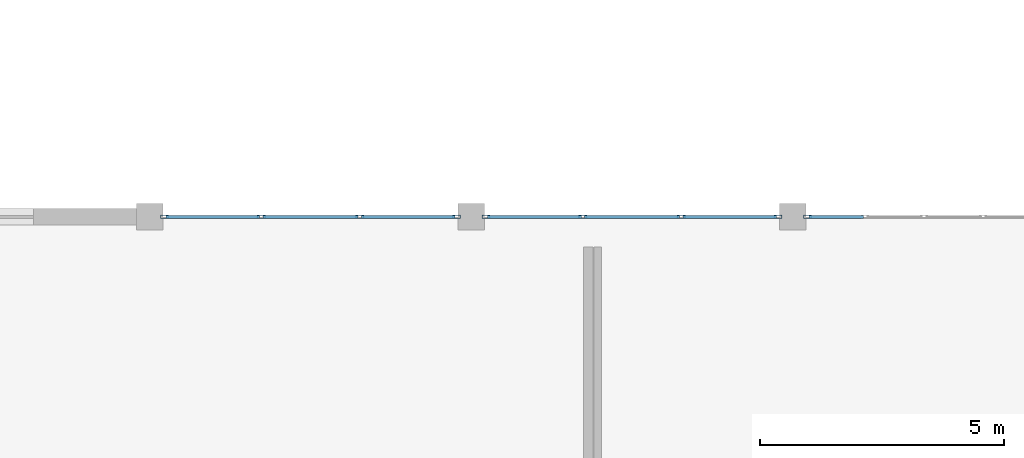
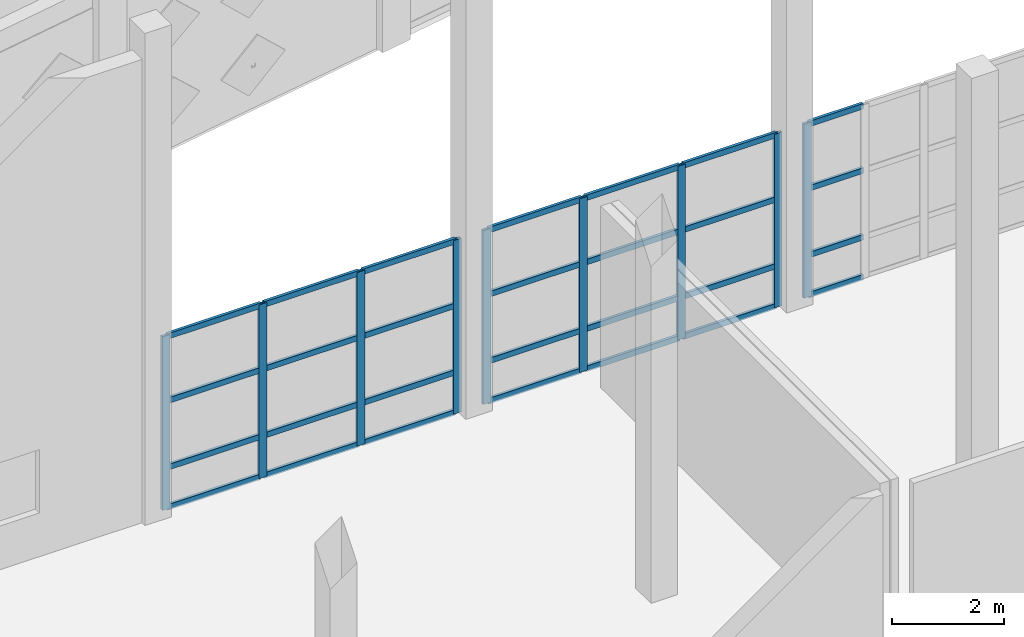
# One storey, part 2 of 39: 37 members, 3 elements without a shape of their own.
"""IFC4 building model written with IfcOpenShell, lengths in metres."""

from ifc_helpers import new_model, si_unit, direction, frame, origin, origin_2d, place, context, subcontext, project, spatial, hollow_rectangle, extrude, material, layer, layer_set, material_profile, profile_set, type_object, element, aggregate, save


model = new_model("IFC4")

# Units and contexts
model_context = context("Model", 3, precision=1e-05, world=origin(), true_north=direction((0.0, 1.0)))
body_context = subcontext(model_context, "Body", "Model", "MODEL_VIEW")
ifc_project = project(units=[si_unit("LENGTHUNIT", "METRE"), si_unit("AREAUNIT", "SQUARE_METRE"), si_unit("VOLUMEUNIT", "CUBIC_METRE"), si_unit("PLANEANGLEUNIT", "RADIAN"), si_unit("MASSUNIT", "GRAM", prefix="KILO")], contexts=[model_context])

# Site, building, storey
site_placement = place(None, origin())
site = spatial("IfcSite", under=ifc_project, at=site_placement, CompositionType="ELEMENT")
building_placement = place(site_placement, origin())
building = spatial("IfcBuilding", under=site, at=building_placement, Name="Kharisveld Research Institute", CompositionType="ELEMENT")
storey_placement = place(building_placement, frame((0.0, 0.0, 18.60009765625)))
storey = spatial("IfcBuildingStorey", under=building, at=storey_placement, Name="L04", CompositionType="ELEMENT", Elevation=18.60009765625)

# Curtain wall, members
ifc_material_1 = material(Name="Thermally Broken Aluminium Curtain Wall", Category="aluminium")
ifc_layer_1 = layer(ifc_material_1, 0.159912109375)
ifc_layer_set_1 = layer_set([ifc_layer_1], Name="CW_SYS_05")
curtain_wall_type_1 = type_object("IfcCurtainWallType", Name="CW_SYS_05", PredefinedType="NOTDEFINED", material=ifc_layer_set_1)
curtain_wall_1_placement = place(storey_placement, origin())
curtain_wall_1 = element("IfcCurtainWall", 1, at=curtain_wall_1_placement, inside=storey, type_object=curtain_wall_type_1, Name="CW:V3:L04:N1", PredefinedType="NOTDEFINED")
ifc_material_2 = material(Name="Anodised Aluminium AW-6063-T6", Category="aluminium")
ifc_material_profile_1 = material_profile(ifc_material_2, hollow_rectangle(XDim=0.06494140625, YDim=0.159912109375, WallThickness=0.00390625, at=origin_2d()))
ifc_profile_set_1 = profile_set([ifc_material_profile_1], Name="Anodised Aluminium AW-6063-T6")
member_type_1 = type_object("IfcMemberType", Name="CW_MUL_160", PredefinedType="MULLION", material=ifc_profile_set_1)
member_1_placement = place(storey_placement, frame((7.50244140625, 26.60009765625, 0.0), z_axis=(0.0, 0.0, 1.0), x_axis=(0.0, 1.0, 0.0)))
member_1 = element("IfcMember", 2, at=member_1_placement, type_object=member_type_1, Name="CW-05 mullion 1", PredefinedType="MULLION", context=body_context, shape_type="SweptSolid", body=[
    extrude(hollow_rectangle(XDim=0.06494140625, YDim=0.159912109375, WallThickness=0.00390625, at=origin_2d()), origin(), (0.0, 0.0, 1.0), 3.77978515625),
])
member_2_placement = place(storey_placement, frame((9.489990234375, 26.60009765625, 0.0), z_axis=(0.0, 0.0, 1.0), x_axis=(0.0, 1.0, 0.0)))
member_2 = element("IfcMember", 3, at=member_2_placement, type_object=member_type_1, Name="CW-05 mullion 2", PredefinedType="MULLION", context=body_context, shape_type="SweptSolid", body=[
    extrude(hollow_rectangle(XDim=0.06494140625, YDim=0.159912109375, WallThickness=0.00390625, at=origin_2d()), origin(), (0.0, 0.0, 1.0), 3.77978515625),
])
member_3_placement = place(storey_placement, frame((11.510009765625, 26.60009765625, 0.0), z_axis=(0.0, 0.0, 1.0), x_axis=(0.0, 1.0, 0.0)))
member_3 = element("IfcMember", 4, at=member_3_placement, type_object=member_type_1, Name="CW-05 mullion 3", PredefinedType="MULLION", context=body_context, shape_type="SweptSolid", body=[
    extrude(hollow_rectangle(XDim=0.06494140625, YDim=0.159912109375, WallThickness=0.00390625, at=origin_2d()), origin(), (0.0, 0.0, 1.0), 3.77978515625),
])
member_4_placement = place(storey_placement, frame((13.49755859375, 26.60009765625, 0.0), z_axis=(0.0, 0.0, 1.0), x_axis=(0.0, 1.0, 0.0)))
member_4 = element("IfcMember", 5, at=member_4_placement, type_object=member_type_1, Name="CW-05 mullion 4", PredefinedType="MULLION", context=body_context, shape_type="SweptSolid", body=[
    extrude(hollow_rectangle(XDim=0.06494140625, YDim=0.159912109375, WallThickness=0.00390625, at=origin_2d()), origin(), (0.0, 0.0, 1.0), 3.77978515625),
])

ifc_material_3 = material(Name="Thermally Broken Aluminium Curtain Wall", Category="aluminium")
ifc_layer_2 = layer(ifc_material_3, 0.159912109375)
ifc_layer_set_2 = layer_set([ifc_layer_2], Name="CW_SYS_06")
curtain_wall_type_2 = type_object("IfcCurtainWallType", Name="CW_SYS_06", PredefinedType="NOTDEFINED", material=ifc_layer_set_2)
curtain_wall_2_placement = place(storey_placement, origin())
curtain_wall_2 = element("IfcCurtainWall", 6, at=curtain_wall_2_placement, inside=storey, type_object=curtain_wall_type_2, Name="CW:V3:L04:N2", PredefinedType="NOTDEFINED")
member_5_placement = place(storey_placement, frame((14.1025390625, 26.60009765625, 0.0), z_axis=(0.0, 0.0, 1.0), x_axis=(0.0, 1.0, 0.0)))
member_5 = element("IfcMember", 7, at=member_5_placement, type_object=member_type_1, Name="CW-06 mullion 1", PredefinedType="MULLION", context=body_context, shape_type="SweptSolid", body=[
    extrude(hollow_rectangle(XDim=0.06494140625, YDim=0.159912109375, WallThickness=0.00390625, at=origin_2d()), origin(), (0.0, 0.0, 1.0), 3.77978515625),
])
member_6_placement = place(storey_placement, frame((16.090087890625, 26.60009765625, 0.0), z_axis=(0.0, 0.0, 1.0), x_axis=(0.0, 1.0, 0.0)))
member_6 = element("IfcMember", 8, at=member_6_placement, type_object=member_type_1, Name="CW-06 mullion 2", PredefinedType="MULLION", context=body_context, shape_type="SweptSolid", body=[
    extrude(hollow_rectangle(XDim=0.06494140625, YDim=0.159912109375, WallThickness=0.00390625, at=origin_2d()), origin(), (0.0, 0.0, 1.0), 3.77978515625),
])
member_7_placement = place(storey_placement, frame((18.110107421875, 26.60009765625, 0.0), z_axis=(0.0, 0.0, 1.0), x_axis=(0.0, 1.0, 0.0)))
member_7 = element("IfcMember", 9, at=member_7_placement, type_object=member_type_1, Name="CW-06 mullion 3", PredefinedType="MULLION", context=body_context, shape_type="SweptSolid", body=[
    extrude(hollow_rectangle(XDim=0.06494140625, YDim=0.159912109375, WallThickness=0.00390625, at=origin_2d()), origin(), (0.0, 0.0, 1.0), 3.77978515625),
])
member_8_placement = place(storey_placement, frame((20.097412109375, 26.60009765625, 0.0), z_axis=(0.0, 0.0, 1.0), x_axis=(0.0, 1.0, 0.0)))
member_8 = element("IfcMember", 10, at=member_8_placement, type_object=member_type_1, Name="CW-06 mullion 4", PredefinedType="MULLION", context=body_context, shape_type="SweptSolid", body=[
    extrude(hollow_rectangle(XDim=0.06494140625, YDim=0.159912109375, WallThickness=0.00390625, at=origin_2d()), origin(), (0.0, 0.0, 1.0), 3.77978515625),
])

# Curtain wall, member
ifc_material_4 = material(Name="Thermally Broken Aluminium Curtain Wall", Category="aluminium")
ifc_layer_3 = layer(ifc_material_4, 0.159912109375)
ifc_layer_set_3 = layer_set([ifc_layer_3], Name="CW_SYS_01")
curtain_wall_type_3 = type_object("IfcCurtainWallType", Name="CW_SYS_01", PredefinedType="NOTDEFINED", material=ifc_layer_set_3)
curtain_wall_3_placement = place(storey_placement, origin())
curtain_wall_3 = element("IfcCurtainWall", 11, at=curtain_wall_3_placement, inside=storey, type_object=curtain_wall_type_3, Name="CW:V3:L04:N3", PredefinedType="NOTDEFINED")
member_9_placement = place(storey_placement, frame((20.702392578125, 26.60009765625, 0.0), z_axis=(0.0, 0.0, 1.0), x_axis=(0.0, 1.0, 0.0)))
member_9 = element("IfcMember", 12, at=member_9_placement, type_object=member_type_1, Name="CW-01 mullion 1", PredefinedType="MULLION", context=body_context, shape_type="SweptSolid", body=[
    extrude(hollow_rectangle(XDim=0.06494140625, YDim=0.159912109375, WallThickness=0.00390625, at=origin_2d()), origin(), (0.0, 0.0, 1.0), 3.77978515625),
])

# Member
ifc_material_5 = material(Name="Anodised Aluminium AW-6063-T6", Category="aluminium")
ifc_material_profile_2 = material_profile(ifc_material_5, hollow_rectangle(XDim=0.06005859375, YDim=0.1201171875, WallThickness=0.00390625, at=origin_2d()))
ifc_profile_set_2 = profile_set([ifc_material_profile_2], Name="Anodised Aluminium AW-6063-T6")
member_type_2 = type_object("IfcMemberType", Name="CW_TRN_120", PredefinedType="USERDEFINED", material=ifc_profile_set_2)
member_10_placement = place(storey_placement, frame((7.534912109375, 26.60009765625, 0.02978515625), z_axis=(1.0, 0.0, 0.0), x_axis=(0.0, 1.0, 0.0)))
member_10 = element("IfcMember", 13, at=member_10_placement, type_object=member_type_2, Name="CW-05 transom 1.1", ObjectType="TRANSOM", PredefinedType="USERDEFINED", context=body_context, shape_type="SweptSolid", body=[
    extrude(hollow_rectangle(XDim=0.06005859375, YDim=0.1201171875, WallThickness=0.00390625, at=origin_2d()), origin(), (0.0, 0.0, 1.0), 1.922607421875),
])

member_11_placement = place(storey_placement, frame((7.534912109375, 26.60009765625, 0.89990234375), z_axis=(1.0, 0.0, 0.0), x_axis=(0.0, 1.0, 0.0)))
member_11 = element("IfcMember", 14, at=member_11_placement, type_object=member_type_2, Name="CW-05 transom 1.2", ObjectType="TRANSOM", PredefinedType="USERDEFINED", context=body_context, shape_type="SweptSolid", body=[
    extrude(hollow_rectangle(XDim=0.06005859375, YDim=0.1201171875, WallThickness=0.00390625, at=origin_2d()), origin(), (0.0, 0.0, 1.0), 1.922607421875),
])

member_12_placement = place(storey_placement, frame((7.534912109375, 26.60009765625, 2.349853515625), z_axis=(1.0, 0.0, 0.0), x_axis=(0.0, 1.0, 0.0)))
member_12 = element("IfcMember", 15, at=member_12_placement, type_object=member_type_2, Name="CW-05 transom 1.3", ObjectType="TRANSOM", PredefinedType="USERDEFINED", context=body_context, shape_type="SweptSolid", body=[
    extrude(hollow_rectangle(XDim=0.06005859375, YDim=0.1201171875, WallThickness=0.00390625, at=origin_2d()), origin(), (0.0, 0.0, 1.0), 1.922607421875),
])

member_13_placement = place(storey_placement, frame((7.534912109375, 26.60009765625, 3.75), z_axis=(1.0, 0.0, 0.0), x_axis=(0.0, 1.0, 0.0)))
member_13 = element("IfcMember", 16, at=member_13_placement, type_object=member_type_2, Name="CW-05 transom 1.4", ObjectType="TRANSOM", PredefinedType="USERDEFINED", context=body_context, shape_type="SweptSolid", body=[
    extrude(hollow_rectangle(XDim=0.06005859375, YDim=0.1201171875, WallThickness=0.00390625, at=origin_2d()), origin(), (0.0, 0.0, 1.0), 1.922607421875),
])

member_14_placement = place(storey_placement, frame((9.5224609375, 26.60009765625, 0.02978515625), z_axis=(1.0, 0.0, 0.0), x_axis=(0.0, 1.0, 0.0)))
member_14 = element("IfcMember", 17, at=member_14_placement, type_object=member_type_2, Name="CW-05 transom 2.1", ObjectType="TRANSOM", PredefinedType="USERDEFINED", context=body_context, shape_type="SweptSolid", body=[
    extrude(hollow_rectangle(XDim=0.06005859375, YDim=0.1201171875, WallThickness=0.00390625, at=origin_2d()), origin(), (0.0, 0.0, 1.0), 1.955078125),
])

member_15_placement = place(storey_placement, frame((9.5224609375, 26.60009765625, 0.89990234375), z_axis=(1.0, 0.0, 0.0), x_axis=(0.0, 1.0, 0.0)))
member_15 = element("IfcMember", 18, at=member_15_placement, type_object=member_type_2, Name="CW-05 transom 2.2", ObjectType="TRANSOM", PredefinedType="USERDEFINED", context=body_context, shape_type="SweptSolid", body=[
    extrude(hollow_rectangle(XDim=0.06005859375, YDim=0.1201171875, WallThickness=0.00390625, at=origin_2d()), origin(), (0.0, 0.0, 1.0), 1.955078125),
])

member_16_placement = place(storey_placement, frame((9.5224609375, 26.60009765625, 2.349853515625), z_axis=(1.0, 0.0, 0.0), x_axis=(0.0, 1.0, 0.0)))
member_16 = element("IfcMember", 19, at=member_16_placement, type_object=member_type_2, Name="CW-05 transom 2.3", ObjectType="TRANSOM", PredefinedType="USERDEFINED", context=body_context, shape_type="SweptSolid", body=[
    extrude(hollow_rectangle(XDim=0.06005859375, YDim=0.1201171875, WallThickness=0.00390625, at=origin_2d()), origin(), (0.0, 0.0, 1.0), 1.955078125),
])

member_17_placement = place(storey_placement, frame((9.5224609375, 26.60009765625, 3.75), z_axis=(1.0, 0.0, 0.0), x_axis=(0.0, 1.0, 0.0)))
member_17 = element("IfcMember", 20, at=member_17_placement, type_object=member_type_2, Name="CW-05 transom 2.4", ObjectType="TRANSOM", PredefinedType="USERDEFINED", context=body_context, shape_type="SweptSolid", body=[
    extrude(hollow_rectangle(XDim=0.06005859375, YDim=0.1201171875, WallThickness=0.00390625, at=origin_2d()), origin(), (0.0, 0.0, 1.0), 1.955078125),
])

member_18_placement = place(storey_placement, frame((11.54248046875, 26.60009765625, 0.02978515625), z_axis=(1.0, 0.0, 0.0), x_axis=(0.0, 1.0, 0.0)))
member_18 = element("IfcMember", 21, at=member_18_placement, type_object=member_type_2, Name="CW-05 transom 3.1", ObjectType="TRANSOM", PredefinedType="USERDEFINED", context=body_context, shape_type="SweptSolid", body=[
    extrude(hollow_rectangle(XDim=0.06005859375, YDim=0.1201171875, WallThickness=0.00390625, at=origin_2d()), origin(), (0.0, 0.0, 1.0), 1.922607421875),
])

member_19_placement = place(storey_placement, frame((11.54248046875, 26.60009765625, 0.89990234375), z_axis=(1.0, 0.0, 0.0), x_axis=(0.0, 1.0, 0.0)))
member_19 = element("IfcMember", 22, at=member_19_placement, type_object=member_type_2, Name="CW-05 transom 3.2", ObjectType="TRANSOM", PredefinedType="USERDEFINED", context=body_context, shape_type="SweptSolid", body=[
    extrude(hollow_rectangle(XDim=0.06005859375, YDim=0.1201171875, WallThickness=0.00390625, at=origin_2d()), origin(), (0.0, 0.0, 1.0), 1.922607421875),
])

member_20_placement = place(storey_placement, frame((11.54248046875, 26.60009765625, 2.349853515625), z_axis=(1.0, 0.0, 0.0), x_axis=(0.0, 1.0, 0.0)))
member_20 = element("IfcMember", 23, at=member_20_placement, type_object=member_type_2, Name="CW-05 transom 3.3", ObjectType="TRANSOM", PredefinedType="USERDEFINED", context=body_context, shape_type="SweptSolid", body=[
    extrude(hollow_rectangle(XDim=0.06005859375, YDim=0.1201171875, WallThickness=0.00390625, at=origin_2d()), origin(), (0.0, 0.0, 1.0), 1.922607421875),
])

member_21_placement = place(storey_placement, frame((11.54248046875, 26.60009765625, 3.75), z_axis=(1.0, 0.0, 0.0), x_axis=(0.0, 1.0, 0.0)))
member_21 = element("IfcMember", 24, at=member_21_placement, type_object=member_type_2, Name="CW-05 transom 3.4", ObjectType="TRANSOM", PredefinedType="USERDEFINED", context=body_context, shape_type="SweptSolid", body=[
    extrude(hollow_rectangle(XDim=0.06005859375, YDim=0.1201171875, WallThickness=0.00390625, at=origin_2d()), origin(), (0.0, 0.0, 1.0), 1.922607421875),
])

aggregate(curtain_wall_1, [member_1, member_2, member_3, member_4, member_10, member_11, member_12, member_13, member_14, member_15, member_16, member_17, member_18, member_19, member_20, member_21])

member_22_placement = place(storey_placement, frame((14.135009765625, 26.60009765625, 0.02978515625), z_axis=(1.0, 0.0, 0.0), x_axis=(0.0, 1.0, 0.0)))
member_22 = element("IfcMember", 25, at=member_22_placement, type_object=member_type_2, Name="CW-06 transom 1.1", ObjectType="TRANSOM", PredefinedType="USERDEFINED", context=body_context, shape_type="SweptSolid", body=[
    extrude(hollow_rectangle(XDim=0.06005859375, YDim=0.1201171875, WallThickness=0.00390625, at=origin_2d()), origin(), (0.0, 0.0, 1.0), 1.922607421875),
])

member_23_placement = place(storey_placement, frame((14.135009765625, 26.60009765625, 0.89990234375), z_axis=(1.0, 0.0, 0.0), x_axis=(0.0, 1.0, 0.0)))
member_23 = element("IfcMember", 26, at=member_23_placement, type_object=member_type_2, Name="CW-06 transom 1.2", ObjectType="TRANSOM", PredefinedType="USERDEFINED", context=body_context, shape_type="SweptSolid", body=[
    extrude(hollow_rectangle(XDim=0.06005859375, YDim=0.1201171875, WallThickness=0.00390625, at=origin_2d()), origin(), (0.0, 0.0, 1.0), 1.922607421875),
])

member_24_placement = place(storey_placement, frame((14.135009765625, 26.60009765625, 2.349853515625), z_axis=(1.0, 0.0, 0.0), x_axis=(0.0, 1.0, 0.0)))
member_24 = element("IfcMember", 27, at=member_24_placement, type_object=member_type_2, Name="CW-06 transom 1.3", ObjectType="TRANSOM", PredefinedType="USERDEFINED", context=body_context, shape_type="SweptSolid", body=[
    extrude(hollow_rectangle(XDim=0.06005859375, YDim=0.1201171875, WallThickness=0.00390625, at=origin_2d()), origin(), (0.0, 0.0, 1.0), 1.922607421875),
])

member_25_placement = place(storey_placement, frame((14.135009765625, 26.60009765625, 3.75), z_axis=(1.0, 0.0, 0.0), x_axis=(0.0, 1.0, 0.0)))
member_25 = element("IfcMember", 28, at=member_25_placement, type_object=member_type_2, Name="CW-06 transom 1.4", ObjectType="TRANSOM", PredefinedType="USERDEFINED", context=body_context, shape_type="SweptSolid", body=[
    extrude(hollow_rectangle(XDim=0.06005859375, YDim=0.1201171875, WallThickness=0.00390625, at=origin_2d()), origin(), (0.0, 0.0, 1.0), 1.922607421875),
])

member_26_placement = place(storey_placement, frame((16.12255859375, 26.60009765625, 0.02978515625), z_axis=(1.0, 0.0, 0.0), x_axis=(0.0, 1.0, 0.0)))
member_26 = element("IfcMember", 29, at=member_26_placement, type_object=member_type_2, Name="CW-06 transom 2.1", ObjectType="TRANSOM", PredefinedType="USERDEFINED", context=body_context, shape_type="SweptSolid", body=[
    extrude(hollow_rectangle(XDim=0.06005859375, YDim=0.1201171875, WallThickness=0.00390625, at=origin_2d()), origin(), (0.0, 0.0, 1.0), 1.954833984375),
])

member_27_placement = place(storey_placement, frame((16.12255859375, 26.60009765625, 0.89990234375), z_axis=(1.0, 0.0, 0.0), x_axis=(0.0, 1.0, 0.0)))
member_27 = element("IfcMember", 30, at=member_27_placement, type_object=member_type_2, Name="CW-06 transom 2.2", ObjectType="TRANSOM", PredefinedType="USERDEFINED", context=body_context, shape_type="SweptSolid", body=[
    extrude(hollow_rectangle(XDim=0.06005859375, YDim=0.1201171875, WallThickness=0.00390625, at=origin_2d()), origin(), (0.0, 0.0, 1.0), 1.954833984375),
])

member_28_placement = place(storey_placement, frame((16.12255859375, 26.60009765625, 2.349853515625), z_axis=(1.0, 0.0, 0.0), x_axis=(0.0, 1.0, 0.0)))
member_28 = element("IfcMember", 31, at=member_28_placement, type_object=member_type_2, Name="CW-06 transom 2.3", ObjectType="TRANSOM", PredefinedType="USERDEFINED", context=body_context, shape_type="SweptSolid", body=[
    extrude(hollow_rectangle(XDim=0.06005859375, YDim=0.1201171875, WallThickness=0.00390625, at=origin_2d()), origin(), (0.0, 0.0, 1.0), 1.954833984375),
])

member_29_placement = place(storey_placement, frame((16.12255859375, 26.60009765625, 3.75), z_axis=(1.0, 0.0, 0.0), x_axis=(0.0, 1.0, 0.0)))
member_29 = element("IfcMember", 32, at=member_29_placement, type_object=member_type_2, Name="CW-06 transom 2.4", ObjectType="TRANSOM", PredefinedType="USERDEFINED", context=body_context, shape_type="SweptSolid", body=[
    extrude(hollow_rectangle(XDim=0.06005859375, YDim=0.1201171875, WallThickness=0.00390625, at=origin_2d()), origin(), (0.0, 0.0, 1.0), 1.954833984375),
])

member_30_placement = place(storey_placement, frame((18.142578125, 26.60009765625, 0.02978515625), z_axis=(1.0, 0.0, 0.0), x_axis=(0.0, 1.0, 0.0)))
member_30 = element("IfcMember", 33, at=member_30_placement, type_object=member_type_2, Name="CW-06 transom 3.1", ObjectType="TRANSOM", PredefinedType="USERDEFINED", context=body_context, shape_type="SweptSolid", body=[
    extrude(hollow_rectangle(XDim=0.06005859375, YDim=0.1201171875, WallThickness=0.00390625, at=origin_2d()), origin(), (0.0, 0.0, 1.0), 1.92236328125),
])

member_31_placement = place(storey_placement, frame((18.142578125, 26.60009765625, 0.89990234375), z_axis=(1.0, 0.0, 0.0), x_axis=(0.0, 1.0, 0.0)))
member_31 = element("IfcMember", 34, at=member_31_placement, type_object=member_type_2, Name="CW-06 transom 3.2", ObjectType="TRANSOM", PredefinedType="USERDEFINED", context=body_context, shape_type="SweptSolid", body=[
    extrude(hollow_rectangle(XDim=0.06005859375, YDim=0.1201171875, WallThickness=0.00390625, at=origin_2d()), origin(), (0.0, 0.0, 1.0), 1.92236328125),
])

member_32_placement = place(storey_placement, frame((18.142578125, 26.60009765625, 2.349853515625), z_axis=(1.0, 0.0, 0.0), x_axis=(0.0, 1.0, 0.0)))
member_32 = element("IfcMember", 35, at=member_32_placement, type_object=member_type_2, Name="CW-06 transom 3.3", ObjectType="TRANSOM", PredefinedType="USERDEFINED", context=body_context, shape_type="SweptSolid", body=[
    extrude(hollow_rectangle(XDim=0.06005859375, YDim=0.1201171875, WallThickness=0.00390625, at=origin_2d()), origin(), (0.0, 0.0, 1.0), 1.92236328125),
])

member_33_placement = place(storey_placement, frame((18.142578125, 26.60009765625, 3.75), z_axis=(1.0, 0.0, 0.0), x_axis=(0.0, 1.0, 0.0)))
member_33 = element("IfcMember", 36, at=member_33_placement, type_object=member_type_2, Name="CW-06 transom 3.4", ObjectType="TRANSOM", PredefinedType="USERDEFINED", context=body_context, shape_type="SweptSolid", body=[
    extrude(hollow_rectangle(XDim=0.06005859375, YDim=0.1201171875, WallThickness=0.00390625, at=origin_2d()), origin(), (0.0, 0.0, 1.0), 1.92236328125),
])

aggregate(curtain_wall_2, [member_5, member_6, member_7, member_8, member_22, member_23, member_24, member_25, member_26, member_27, member_28, member_29, member_30, member_31, member_32, member_33])

member_34_placement = place(storey_placement, frame((20.735107421875, 26.60009765625, 0.02978515625), z_axis=(1.0, 0.0, 0.0), x_axis=(0.0, 1.0, 0.0)))
member_34 = element("IfcMember", 37, at=member_34_placement, type_object=member_type_2, Name="CW-01 transom 1.1", ObjectType="TRANSOM", PredefinedType="USERDEFINED", context=body_context, shape_type="SweptSolid", body=[
    extrude(hollow_rectangle(XDim=0.06005859375, YDim=0.1201171875, WallThickness=0.00390625, at=origin_2d()), origin(), (0.0, 0.0, 1.0), 1.114501953125),
])

member_35_placement = place(storey_placement, frame((20.735107421875, 26.60009765625, 0.89990234375), z_axis=(1.0, 0.0, 0.0), x_axis=(0.0, 1.0, 0.0)))
member_35 = element("IfcMember", 38, at=member_35_placement, type_object=member_type_2, Name="CW-01 transom 1.2", ObjectType="TRANSOM", PredefinedType="USERDEFINED", context=body_context, shape_type="SweptSolid", body=[
    extrude(hollow_rectangle(XDim=0.06005859375, YDim=0.1201171875, WallThickness=0.00390625, at=origin_2d()), origin(), (0.0, 0.0, 1.0), 1.114501953125),
])

member_36_placement = place(storey_placement, frame((20.735107421875, 26.60009765625, 2.349853515625), z_axis=(1.0, 0.0, 0.0), x_axis=(0.0, 1.0, 0.0)))
member_36 = element("IfcMember", 39, at=member_36_placement, type_object=member_type_2, Name="CW-01 transom 1.3", ObjectType="TRANSOM", PredefinedType="USERDEFINED", context=body_context, shape_type="SweptSolid", body=[
    extrude(hollow_rectangle(XDim=0.06005859375, YDim=0.1201171875, WallThickness=0.00390625, at=origin_2d()), origin(), (0.0, 0.0, 1.0), 1.114501953125),
])

member_37_placement = place(storey_placement, frame((20.735107421875, 26.60009765625, 3.75), z_axis=(1.0, 0.0, 0.0), x_axis=(0.0, 1.0, 0.0)))
member_37 = element("IfcMember", 40, at=member_37_placement, type_object=member_type_2, Name="CW-01 transom 1.4", ObjectType="TRANSOM", PredefinedType="USERDEFINED", context=body_context, shape_type="SweptSolid", body=[
    extrude(hollow_rectangle(XDim=0.06005859375, YDim=0.1201171875, WallThickness=0.00390625, at=origin_2d()), origin(), (0.0, 0.0, 1.0), 1.114501953125),
])

aggregate(curtain_wall_3, [member_9, member_34, member_35, member_36, member_37])

save(model, "model.ifc")
